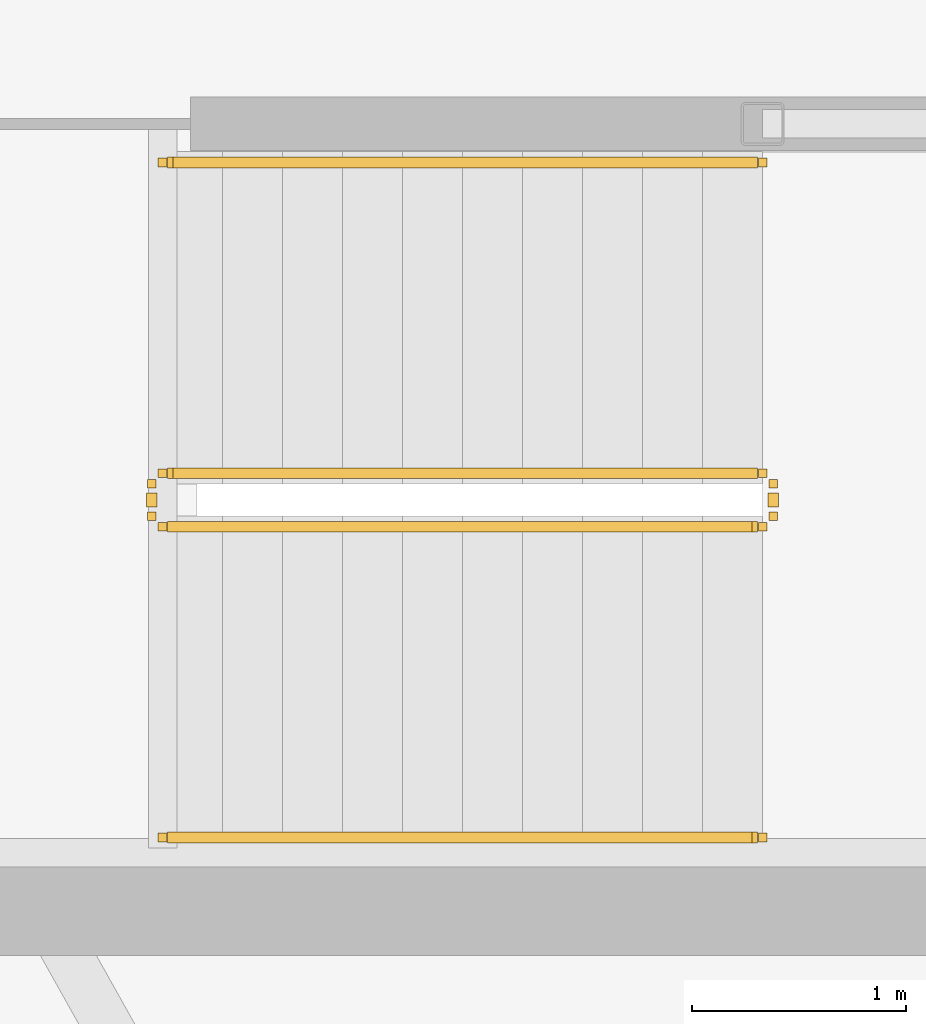
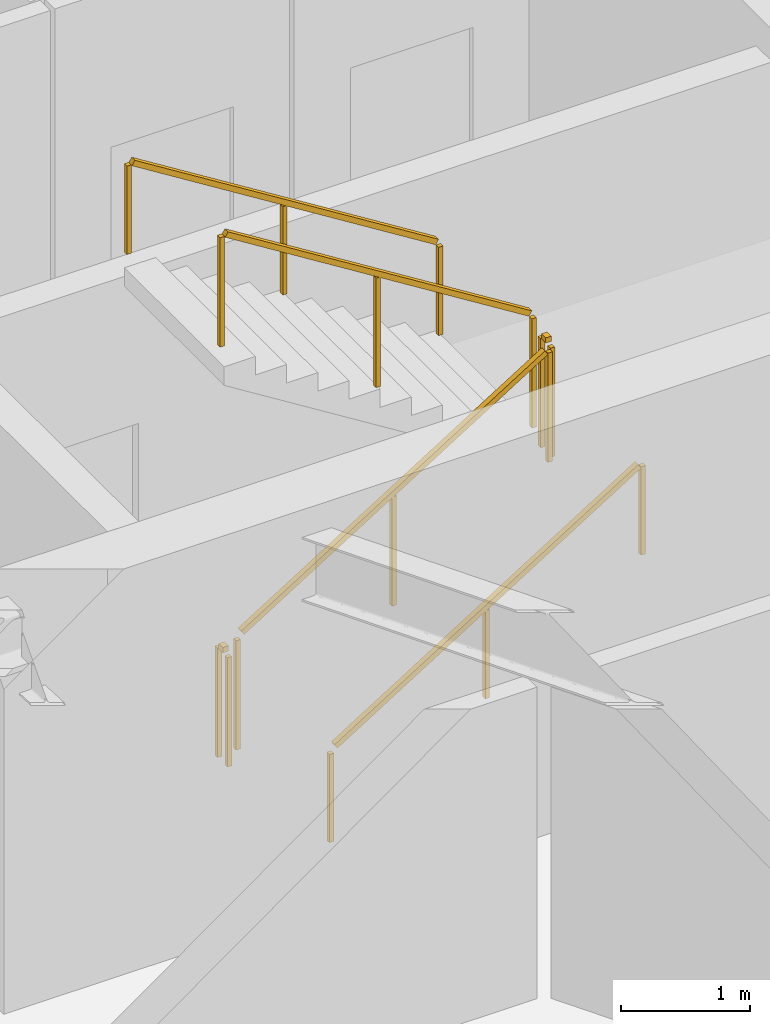
# One storey, part 27 of 30: 6 railings.
"""IFC4 building model written with IfcOpenShell, lengths in metres."""

from ifc_helpers import new_model, si_unit, direction, frame, origin, origin_2d, place, context, subcontext, project, spatial, rectangle, extrude, material, type_object, element, save


model = new_model("IFC4")

# Units and contexts
model_context = context("Model", 3, precision=1e-05, world=origin(), true_north=direction((0.0, 1.0)))
body_context = subcontext(model_context, "Body", "Model", "MODEL_VIEW")
ifc_project = project(units=[si_unit("LENGTHUNIT", "METRE"), si_unit("AREAUNIT", "SQUARE_METRE"), si_unit("VOLUMEUNIT", "CUBIC_METRE"), si_unit("PLANEANGLEUNIT", "RADIAN"), si_unit("MASSUNIT", "GRAM", prefix="KILO")], contexts=[model_context])

# Site, building, storey
site_placement = place(None, origin())
site = spatial("IfcSite", under=ifc_project, at=site_placement, CompositionType="ELEMENT")
building_placement = place(site_placement, origin())
building = spatial("IfcBuilding", under=site, at=building_placement, Name="Kazma Halo Residences", CompositionType="ELEMENT")
storey_placement = place(building_placement, frame((0.0, 0.0, 298.300048828125)))
storey = spatial("IfcBuildingStorey", under=building, at=storey_placement, Name="L75", CompositionType="ELEMENT", Elevation=298.300048828125)

# Railings
ifc_material_1 = material(Name="Painted Steel S355", Category="steel")
railing_type_1 = type_object("IfcRailingType", Name="RLG-STAIR-GRD-1100", PredefinedType="GUARDRAIL", material=ifc_material_1)
railing_1_placement = place(storey_placement, frame((53.199951171875, 35.5, 0.175048828125)))
element("IfcRailing", 1, at=railing_1_placement, inside=storey, type_object=railing_type_1, Name="L75 ST-03 stair guard 1", PredefinedType="GUARDRAIL", context=body_context, shape_type="SweptSolid", body=[
    extrude(rectangle(XDim=0.050048828125, YDim=0.050048828125, at=origin_2d()), frame((0.0361328125, 0.0, 1.09765625), z_axis=(0.848002457836, 0.0, 0.529992293815), x_axis=(0.0, 1.0, 0.0)), (0.0, 0.0, 1.0), 3.216796875),
    extrude(rectangle(XDim=0.0400390625, YDim=0.0400390625, at=origin_2d()), origin(), (0.0, 0.0, 1.0), 1.0380859375),
    extrude(rectangle(XDim=0.0400390625, YDim=0.0400390625, at=origin_2d()), frame((1.39990234375, 0.0, 0.875)), (0.0, 0.0, 1.0), 1.0380859375),
    extrude(rectangle(XDim=0.0400390625, YDim=0.0400390625, at=origin_2d()), frame((2.800048828125, 0.0, 1.75)), (0.0, 0.0, 1.0), 1.0380859375),
])
railing_2_placement = place(storey_placement, frame((56.050048828125, 35.550048828125, 1.925048828125)))
element("IfcRailing", 2, at=railing_2_placement, inside=storey, type_object=railing_type_1, Name="L75 ST-03 stair guard 2", PredefinedType="GUARDRAIL", context=body_context, shape_type="SweptSolid", body=[
    extrude(rectangle(XDim=0.050048828125, YDim=0.050048828125, at=origin_2d()), frame((0.0, 0.04248046875, 1.0751953125), z_axis=(0.0, 1.0, 0.0), x_axis=(-1.0, 0.0, 0.0)), (0.0, 0.0, 1.0), 0.06494140625),
    extrude(rectangle(XDim=0.0400390625, YDim=0.0400390625, at=origin_2d()), origin(), (0.0, 0.0, 1.0), 1.0380859375),
    extrude(rectangle(XDim=0.0400390625, YDim=0.0400390625, at=origin_2d()), frame((0.0, 0.14990234375, 0.0)), (0.0, 0.0, 1.0), 1.0380859375),
])
railing_3_placement = place(storey_placement, frame((56.0, 35.75, 2.099853515625)))
element("IfcRailing", 3, at=railing_3_placement, inside=storey, type_object=railing_type_1, Name="L75 ST-03 stair guard 3", PredefinedType="GUARDRAIL", context=body_context, shape_type="SweptSolid", body=[
    extrude(rectangle(XDim=0.050048828125, YDim=0.050048828125, at=origin_2d()), frame((-0.0361328125, 0.0, 1.09765625), z_axis=(-0.848002457836, 0.0, 0.529992293815), x_axis=(0.0, -1.0, 0.0)), (0.0, 0.0, 1.0), 3.216796875),
    extrude(rectangle(XDim=0.0400390625, YDim=0.0400390625, at=origin_2d()), origin(), (0.0, 0.0, 1.0), 1.0380859375),
    extrude(rectangle(XDim=0.0400390625, YDim=0.0400390625, at=origin_2d()), frame((-1.39990234375, 0.0, 0.875)), (0.0, 0.0, 1.0), 1.0380859375),
    extrude(rectangle(XDim=0.0400390625, YDim=0.0400390625, at=origin_2d()), frame((-2.800048828125, 0.0, 1.75)), (0.0, 0.0, 1.0), 1.0380859375),
])
railing_4_placement = place(storey_placement, frame((53.14990234375, 35.550048828125, 0.0)))
element("IfcRailing", 4, at=railing_4_placement, inside=storey, type_object=railing_type_1, Name="L75 ST-03 stair guard 4", PredefinedType="GUARDRAIL", context=body_context, shape_type="SweptSolid", body=[
    extrude(rectangle(XDim=0.050048828125, YDim=0.050048828125, at=origin_2d()), frame((0.0, 0.04248046875, 1.0751953125), z_axis=(0.0, 1.0, 0.0), x_axis=(-1.0, 0.0, 0.0)), (0.0, 0.0, 1.0), 0.06494140625),
    extrude(rectangle(XDim=0.0400390625, YDim=0.0400390625, at=origin_2d()), origin(), (0.0, 0.0, 1.0), 1.0380859375),
    extrude(rectangle(XDim=0.0400390625, YDim=0.0400390625, at=origin_2d()), frame((0.0, 0.14990234375, 0.0)), (0.0, 0.0, 1.0), 1.0380859375),
])
ifc_material_2 = material(Name="Brushed Stainless Steel", Category="steel")
railing_type_2 = type_object("IfcRailingType", Name="RLG-STAIR-HND-900", PredefinedType="HANDRAIL", material=ifc_material_2)
railing_5_placement = place(storey_placement, frame((53.199951171875, 34.050048828125, 0.175048828125)))
element("IfcRailing", 5, at=railing_5_placement, inside=storey, type_object=railing_type_2, Name="L75 ST-03 stair handrail 1", PredefinedType="HANDRAIL", context=body_context, shape_type="SweptSolid", body=[
    extrude(rectangle(XDim=0.050048828125, YDim=0.050048828125, at=origin_2d()), frame((0.0361328125, 0.0, 0.8974609375), z_axis=(0.848002457836, 0.0, 0.529992293815), x_axis=(0.0, 1.0, 0.0)), (0.0, 0.0, 1.0), 3.216796875),
    extrude(rectangle(XDim=0.0400390625, YDim=0.0400390625, at=origin_2d()), origin(), (0.0, 0.0, 1.0), 0.837890625),
    extrude(rectangle(XDim=0.0400390625, YDim=0.0400390625, at=origin_2d()), frame((1.39990234375, 0.0, 0.875)), (0.0, 0.0, 1.0), 0.837890625),
    extrude(rectangle(XDim=0.0400390625, YDim=0.0400390625, at=origin_2d()), frame((2.800048828125, 0.0, 1.75)), (0.0, 0.0, 1.0), 0.837890625),
])
railing_6_placement = place(storey_placement, frame((56.0, 37.199951171875, 2.099853515625)))
element("IfcRailing", 6, at=railing_6_placement, inside=storey, type_object=railing_type_2, Name="L75 ST-03 stair handrail 2", PredefinedType="HANDRAIL", context=body_context, shape_type="SweptSolid", body=[
    extrude(rectangle(XDim=0.050048828125, YDim=0.050048828125, at=origin_2d()), frame((-0.0361328125, 0.0, 0.8974609375), z_axis=(-0.848002457836, 0.0, 0.529992293815), x_axis=(0.0, -1.0, 0.0)), (0.0, 0.0, 1.0), 3.216796875),
    extrude(rectangle(XDim=0.0400390625, YDim=0.0400390625, at=origin_2d()), origin(), (0.0, 0.0, 1.0), 0.837890625),
    extrude(rectangle(XDim=0.0400390625, YDim=0.0400390625, at=origin_2d()), frame((-1.39990234375, 0.0, 0.875)), (0.0, 0.0, 1.0), 0.837890625),
    extrude(rectangle(XDim=0.0400390625, YDim=0.0400390625, at=origin_2d()), frame((-2.800048828125, 0.0, 1.75)), (0.0, 0.0, 1.0), 0.837890625),
])

save(model, "model.ifc")
